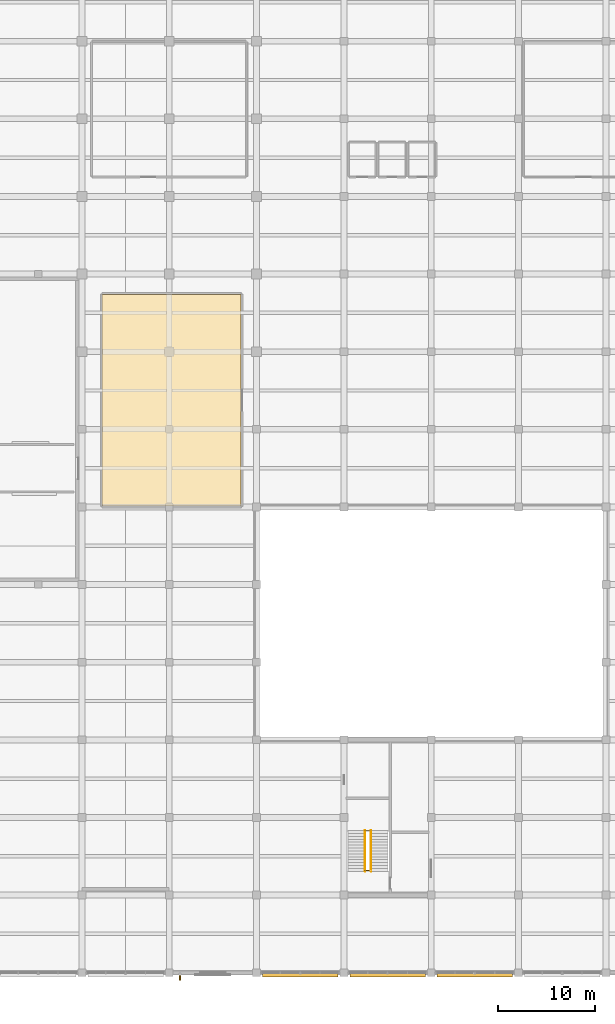
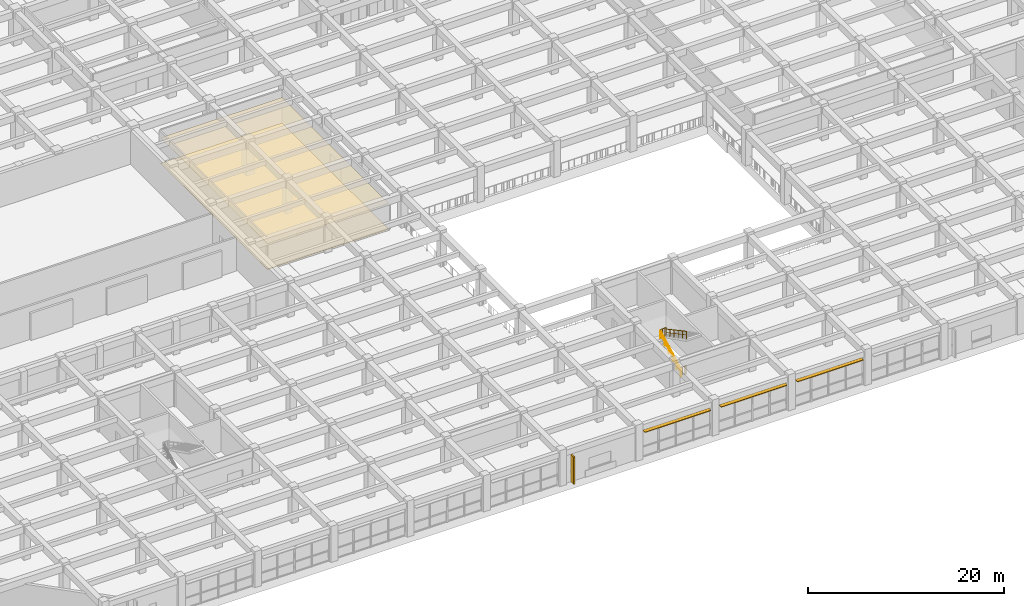
# One storey, part 43 of 50: 4 railings, 4 shading devices, 2 coverings.
"""IFC4 building model written with IfcOpenShell, lengths in metres."""

from ifc_helpers import new_model, si_unit, direction, frame, frame_2d, origin, origin_2d, place, context, subcontext, project, spatial, polyline, rectangle, circle, outline, extrude, material, layer, layer_set, type_object, element, save


model = new_model("IFC4")

# Units and contexts
model_context = context("Model", 3, precision=1e-05, world=origin(), true_north=direction((0.0, 1.0)))
body_context = subcontext(model_context, "Body", "Model", "MODEL_VIEW")
ifc_project = project(units=[si_unit("LENGTHUNIT", "METRE"), si_unit("AREAUNIT", "SQUARE_METRE"), si_unit("VOLUMEUNIT", "CUBIC_METRE"), si_unit("PLANEANGLEUNIT", "RADIAN"), si_unit("MASSUNIT", "GRAM", prefix="KILO")], contexts=[model_context])

# Site, building, storey
site_placement = place(None, origin())
site = spatial("IfcSite", under=ifc_project, at=site_placement, CompositionType="ELEMENT")
building_placement = place(site_placement, origin())
building = spatial("IfcBuilding", under=site, at=building_placement, Name="Zaverband Oceanarium and Marine Research Institute", CompositionType="ELEMENT")
storey_placement = place(building_placement, frame((0.0, 0.0, 4.5)))
storey = spatial("IfcBuildingStorey", under=building, at=storey_placement, Name="L01", CompositionType="ELEMENT", Elevation=4.5)

# Coverings
ifc_material_1 = material(Name="Perforated mineral-fibre acoustic ceiling tile")
ifc_layer_1 = layer(ifc_material_1, 0.02490234375, Name="Perforated mineral-fibre acoustic ceiling tile")
ifc_layer_set_1 = layer_set([ifc_layer_1], Name="Perforated mineral-fibre acoustic ceiling tile")
covering_type_1 = type_object("IfcCoveringType", Name="CLG-AC-15", PredefinedType="CEILING", material=ifc_layer_set_1)
covering_1_placement = place(storey_placement, frame((0.0, 0.0, 3.18994140625)))
element("IfcCovering", 1, at=covering_1_placement, inside=storey, type_object=covering_type_1, Name="Suspended acoustic ceiling CLG-AC-15", PredefinedType="CEILING", context=body_context, shape_type="SweptSolid", body=[
    extrude(outline(polyline([(56.08251953125, 48.08251953125), (70.41748046875, 48.08251953125), (70.41748046875, 69.91748046875), (56.08251953125, 69.91748046875), (56.08251953125, 48.08251953125)])), origin(), (0.0, 0.0, 1.0), 0.025146484375),
])
ifc_material_2 = material(Name="Polished marine terrazzo and seamless laboratory epoxy flooring")
ifc_layer_2 = layer(ifc_material_2, 0.02490234375, Name="Polished marine terrazzo and seamless laboratory epoxy flooring")
ifc_layer_set_2 = layer_set([ifc_layer_2], Name="Polished marine terrazzo and seamless laboratory epoxy flooring")
covering_type_2 = type_object("IfcCoveringType", Name="FLR-TRZ-20", PredefinedType="FLOORING", material=ifc_layer_set_2)
covering_2_placement = place(storey_placement, origin())
element("IfcCovering", 2, at=covering_2_placement, inside=storey, type_object=covering_type_2, Name="Terrazzo and marine epoxy floor finish FLR-TRZ-20", PredefinedType="FLOORING", context=body_context, shape_type="SweptSolid", body=[
    extrude(outline(polyline([(56.08251953125, 48.08251953125), (70.41748046875, 48.08251953125), (70.41748046875, 69.91748046875), (56.08251953125, 69.91748046875), (56.08251953125, 48.08251953125)])), origin(), (0.0, 0.0, 1.0), 0.02490234375),
])

# Railings
ifc_material_3 = material(Name="Steel S355", Category="steel")
ifc_layer_3 = layer(ifc_material_3, 0.06005859375, Name="Steel S355")
ifc_layer_set_3 = layer_set([ifc_layer_3], Name="Steel S355")
railing_type_1 = type_object("IfcRailingType", Name="GRD-1100", PredefinedType="BALUSTRADE", material=ifc_layer_set_3)
for number, where, name in (
    (3, (83.18994140625, 14.6298828125, 2.25), "1100 mm steel post-and-baluster safety guard GRD-1100"),
    (4, (83.18994140625, 10.530029296875, 0.0), "1100 mm steel post-and-baluster safety guard GRD-1100"),
):
    element("IfcRailing", number, at=place(storey_placement, frame(where)), inside=storey, type_object=railing_type_1, Name=name, PredefinedType="BALUSTRADE", context=body_context, shape_type="SweptSolid", body=[
        extrude(circle(Radius=0.02392578125, at=origin_2d()), frame((0.0, 0.0, 1.076171875), z_axis=(1.0, 0.0, 0.0), x_axis=(0.0, 1.0, 0.0)), (0.0, 0.0, 1.0), 0.6201171875),
        extrude(circle(Radius=0.009033203125, at=origin_2d()), frame((0.0, 0.0, 0.10009765625), z_axis=(1.0, 0.0, 0.0), x_axis=(0.0, 1.0, 0.0)), (0.0, 0.0, 1.0), 0.6201171875),
        extrude(circle(Radius=0.009033203125, at=origin_2d()), frame((0.206787109375, 0.0, 0.10009765625)), (0.0, 0.0, 1.0), 0.951904296875),
        extrude(circle(Radius=0.009033203125, at=origin_2d()), frame((0.413330078125, 0.0, 0.10009765625)), (0.0, 0.0, 1.0), 0.951904296875),
        extrude(circle(Radius=0.02099609375, at=origin_2d()), origin(), (0.0, 0.0, 1.0), 1.052001953125),
        extrude(circle(Radius=0.02099609375, at=origin_2d()), frame((0.6201171875, 0.0, 0.0)), (0.0, 0.0, 1.0), 1.052001953125),
    ])
ifc_layer_4 = layer(ifc_material_3, 0.050048828125, Name="Steel S355")
ifc_layer_set_4 = layer_set([ifc_layer_4], Name="Steel S355")
railing_type_2 = type_object("IfcRailingType", Name="HR-920", PredefinedType="HANDRAIL", material=ifc_layer_set_4)
railing_1_placement = place(storey_placement, frame((83.18994140625, 10.449951171875, 0.0)))
element("IfcRailing", 5, at=railing_1_placement, inside=storey, type_object=railing_type_2, Name="920 mm continuous tubular stair and ramp handrail HR-920", PredefinedType="HANDRAIL", context=body_context, shape_type="SweptSolid", body=[
    extrude(circle(Radius=0.02392578125, at=origin_2d()), frame((0.0, 0.0, 0.89599609375), z_axis=(0.0, 0.881477684796, 0.472225678258), x_axis=(-1.0, 0.0, 0.0)), (0.0, 0.0, 1.0), 4.7646484375),
    extrude(circle(Radius=0.009033203125, at=origin_2d()), frame((0.0, 0.0, 0.4599609375), z_axis=(0.0, 0.881477684796, 0.472225678258), x_axis=(-1.0, 0.0, 0.0)), (0.0, 0.0, 1.0), 4.7646484375),
    extrude(circle(Radius=0.02099609375, at=origin_2d()), origin(), (0.0, 0.0, 1.0), 0.871826171875),
    extrude(circle(Radius=0.02099609375, at=origin_2d()), frame((0.0, 0.840087890625, 0.449951171875)), (0.0, 0.0, 1.0), 0.871826171875),
    extrude(circle(Radius=0.02099609375, at=origin_2d()), frame((0.0, 1.679931640625, 0.89990234375)), (0.0, 0.0, 1.0), 0.871826171875),
    extrude(circle(Radius=0.02099609375, at=origin_2d()), frame((0.0, 2.52001953125, 1.35009765625)), (0.0, 0.0, 1.0), 0.871826171875),
    extrude(circle(Radius=0.02099609375, at=origin_2d()), frame((0.0, 3.35986328125, 1.800048828125)), (0.0, 0.0, 1.0), 0.871826171875),
    extrude(circle(Radius=0.02099609375, at=origin_2d()), frame((0.0, 4.199951171875, 2.25)), (0.0, 0.0, 1.0), 0.871826171875),
])
railing_2_placement = place(storey_placement, frame((83.81005859375, 14.64990234375, 2.25)))
element("IfcRailing", 6, at=railing_2_placement, inside=storey, type_object=railing_type_2, Name="920 mm continuous tubular stair and ramp handrail HR-920", PredefinedType="HANDRAIL", context=body_context, shape_type="SweptSolid", body=[
    extrude(circle(Radius=0.02392578125, at=origin_2d()), frame((0.0, 0.0, 0.89599609375), z_axis=(0.0, -0.881477684796, 0.472225678258), x_axis=(1.0, 0.0, 0.0)), (0.0, 0.0, 1.0), 4.7646484375),
    extrude(circle(Radius=0.009033203125, at=origin_2d()), frame((0.0, 0.0, 0.4599609375), z_axis=(0.0, -0.881477684796, 0.472225678258), x_axis=(1.0, 0.0, 0.0)), (0.0, 0.0, 1.0), 4.7646484375),
    extrude(circle(Radius=0.02099609375, at=origin_2d()), origin(), (0.0, 0.0, 1.0), 0.871826171875),
    extrude(circle(Radius=0.02099609375, at=origin_2d()), frame((0.0, -0.840087890625, 0.449951171875)), (0.0, 0.0, 1.0), 0.871826171875),
    extrude(circle(Radius=0.02099609375, at=origin_2d()), frame((0.0, -1.679931640625, 0.89990234375)), (0.0, 0.0, 1.0), 0.871826171875),
    extrude(circle(Radius=0.02099609375, at=origin_2d()), frame((0.0, -2.52001953125, 1.35009765625)), (0.0, 0.0, 1.0), 0.871826171875),
    extrude(circle(Radius=0.02099609375, at=origin_2d()), frame((0.0, -3.35986328125, 1.800048828125)), (0.0, 0.0, 1.0), 0.871826171875),
    extrude(circle(Radius=0.02099609375, at=origin_2d()), frame((0.0, -4.199951171875, 2.25)), (0.0, 0.0, 1.0), 0.871826171875),
])

# Shading devices
ifc_material_4 = material(Name="Concrete C40/50 precast brise-soleil", Category="concrete")
ifc_layer_5 = layer(ifc_material_4, 0.139892578125, Name="Concrete C40/50 precast brise-soleil")
ifc_layer_set_5 = layer_set([ifc_layer_5], Name="Concrete C40/50 precast brise-soleil")
shading_device_type_1 = type_object("IfcShadingDeviceType", Name="SHD-FIN-600", PredefinedType="JALOUSIE", material=ifc_layer_set_5)
shading_device_placement = place(storey_placement, frame((64.10498046875, -0.14990234375, 0.0), z_axis=(0.0, 0.0, 1.0), x_axis=(0.0, -1.0, 0.0)))
element("IfcShadingDevice", 7, at=shading_device_placement, inside=storey, type_object=shading_device_type_1, Name="600 mm vertical precast brise-soleil fin SHD-FIN-600", PredefinedType="JALOUSIE", context=body_context, shape_type="SweptSolid", body=[
    extrude(rectangle(XDim=0.60009765625, YDim=0.139892578125, at=frame_2d((0.300048828125, 0.0))), origin(), (0.0, 0.0, 1.0), 3.409912109375),
])
ifc_material_5 = material(Name="Anodized bronze marine-grade aluminium", Category="aluminium")
ifc_layer_6 = layer(ifc_material_5, 0.080078125, Name="Anodized bronze marine-grade aluminium")
ifc_layer_set_6 = layer_set([ifc_layer_6], Name="Anodized bronze marine-grade aluminium")
shading_device_type_2 = type_object("IfcShadingDeviceType", Name="SHD-LVR-450", PredefinedType="USERDEFINED", material=ifc_layer_set_6)
for number, where, z_axis, x_axis, name in (
    (8, (72.60498046875, -0.239990234375, 3.280029296875), (0.0, 0.0, 1.0), (1.0, 0.0, 0.0), "450 mm horizontal solar shading louvre SHD-LVR-450"),
    (9, (81.60498046875, -0.239990234375, 3.280029296875), (0.0, 0.0, 1.0), (1.0, 0.0, 0.0), "450 mm horizontal solar shading louvre SHD-LVR-450"),
    (10, (90.60498046875, -0.239990234375, 3.280029296875), (0.0, 0.0, 1.0), (1.0, 0.0, 0.0), "450 mm horizontal solar shading louvre SHD-LVR-450"),
):
    element("IfcShadingDevice", number, at=place(storey_placement, frame(where, z_axis=z_axis, x_axis=x_axis)), inside=storey, type_object=shading_device_type_2, Name=name, ObjectType="LOUVRE", PredefinedType="USERDEFINED", context=body_context, shape_type="SweptSolid", body=[
        extrude(rectangle(XDim=7.7900390625, YDim=0.449951171875, at=frame_2d((3.89501953125, 0.0))), origin(), (0.0, 0.0, 1.0), 0.080078125),
    ])

save(model, "model.ifc")
